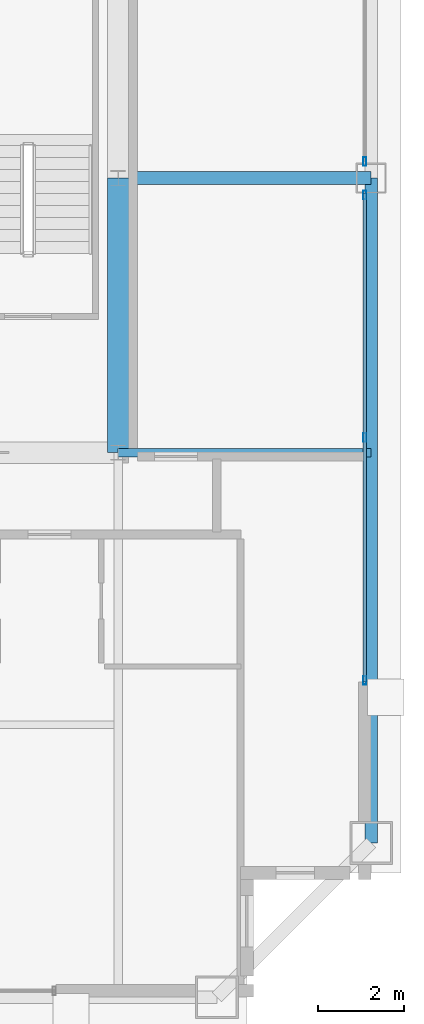
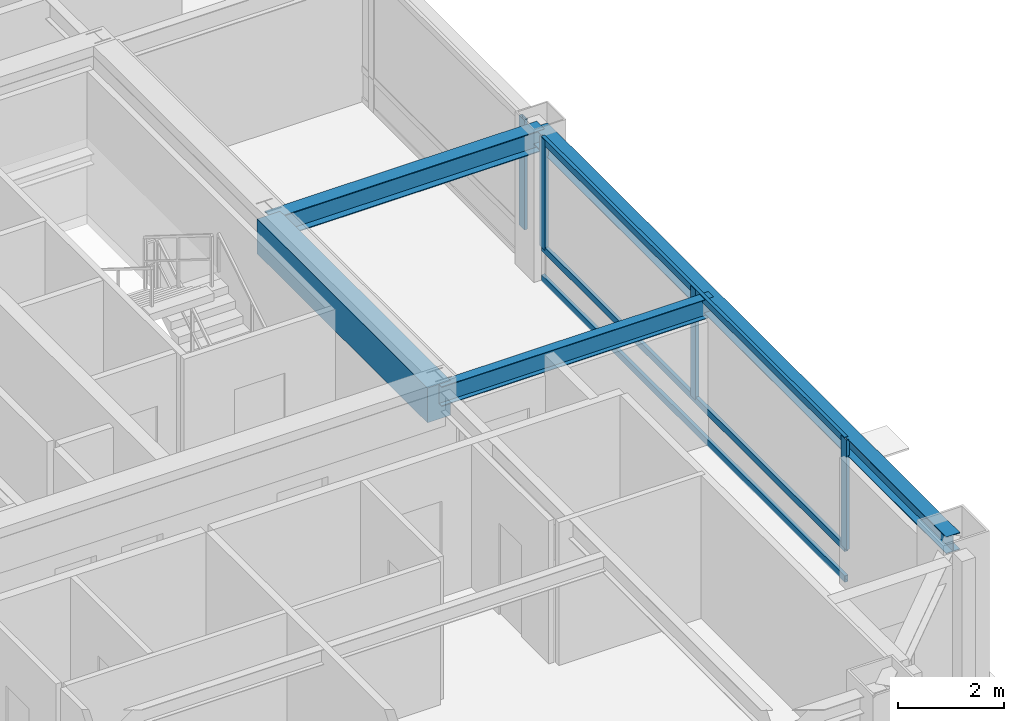
# One storey, part 14 of 35: 7 members, 4 beams, 2 elements without a shape of their own.
"""IFC4 building model written with IfcOpenShell, lengths in metres."""

from ifc_helpers import new_model, si_unit, direction, frame, origin, origin_2d, place, context, subcontext, project, spatial, rectangle, hollow_rectangle, i_section, extrude, source, transform, mapped, material, layer, layer_set, material_profile, profile_set, type_object, element, aggregate, save


model = new_model("IFC4")

# Units and contexts
model_context = context("Model", 3, precision=1e-05, world=origin(), true_north=direction((0.0, 1.0)))
body_context = subcontext(model_context, "Body", "Model", "MODEL_VIEW")
ifc_project = project(units=[si_unit("LENGTHUNIT", "METRE"), si_unit("AREAUNIT", "SQUARE_METRE"), si_unit("VOLUMEUNIT", "CUBIC_METRE"), si_unit("PLANEANGLEUNIT", "RADIAN"), si_unit("MASSUNIT", "GRAM", prefix="KILO"), si_unit("THERMODYNAMICTEMPERATUREUNIT", "KELVIN"), si_unit("POWERUNIT", "WATT")], contexts=[model_context])

# Site, building, storey
site_placement = place(None, origin())
site = spatial("IfcSite", under=ifc_project, at=site_placement, CompositionType="ELEMENT")
building_placement = place(site_placement, origin())
building = spatial("IfcBuilding", under=site, at=building_placement, Name="Yuzanri Waterfront Tower", CompositionType="ELEMENT")
storey_placement = place(building_placement, frame((0.0, 0.0, 332.199951171875)))
storey = spatial("IfcBuildingStorey", under=building, at=storey_placement, Name="L89", CompositionType="ELEMENT", Elevation=332.199951171875)

# Beams
ifc_material_1 = material(Name="Concrete C50", Category="concrete")
ifc_material_profile_1 = material_profile(ifc_material_1, rectangle(XDim=0.5, YDim=0.800048828125, at=origin_2d()), Name="RC 500x800")
ifc_profile_set_1 = profile_set([ifc_material_profile_1], Name="Concrete C50")
beam_type_1 = type_object("IfcBeamType", Name="Core Coupling Lintel Concrete C50 500x800", PredefinedType="LINTEL", material=ifc_profile_set_1)
shared_shape_1 = source(origin(), body_context, "Body", "SweptSolid", [
    extrude(rectangle(XDim=0.5, YDim=0.800048828125, at=origin_2d()), origin(), (0.0, 0.0, 1.0), 6.400146484375),
])
beam_1_placement = place(storey_placement, frame((50.199951171875, 19.39990234375, 2.880126953125), z_axis=(0.0, 1.0, 0.0), x_axis=(-1.0, 0.0, 0.0)))
element("IfcBeam", 1, at=beam_1_placement, inside=storey, type_object=beam_type_1, Name="L89 Core Tie Beam CE1", PredefinedType="LINTEL", context=body_context, shape_type="MappedRepresentation", body=[
    mapped(shared_shape_1, transform((0.0, 0.0, 0.0), scale=1.0)),
])
ifc_material_2 = material(Name="Steel Q355B", Category="steel")
ifc_material_profile_2 = material_profile(ifc_material_2, i_section(OverallWidth=0.300048828125, OverallDepth=0.389892578125, WebThickness=0.010009765625, FlangeThickness=0.01611328125, at=origin_2d()), Name="HM 390x300x10x16")
ifc_profile_set_2 = profile_set([ifc_material_profile_2], Name="Steel Q355B")
beam_type_2 = type_object("IfcBeamType", Name="Perimeter Spandrel Q355B HM 390x300", PredefinedType="SPANDREL", material=ifc_profile_set_2)
shared_shape_2 = source(origin(), body_context, "Body", "SweptSolid", [
    extrude(i_section(OverallWidth=0.300048828125, OverallDepth=0.389892578125, WebThickness=0.010009765625, FlangeThickness=0.01611328125, at=origin_2d()), origin(), (0.0, 0.0, 1.0), 15.5),
])
beam_2_placement = place(storey_placement, frame((56.10009765625, 10.300048828125, 3.0849609375), z_axis=(0.0, 1.0, 0.0), x_axis=(-1.0, 0.0, 0.0)))
element("IfcBeam", 2, at=beam_2_placement, inside=storey, type_object=beam_type_2, Name="L89 Perimeter Spandrel E1-E2", PredefinedType="SPANDREL", context=body_context, shape_type="MappedRepresentation", body=[
    mapped(shared_shape_2, transform((0.0, 0.0, 0.0), scale=1.0)),
])
ifc_material_3 = material(Name="Steel Q355B", Category="steel")
ifc_material_profile_3 = material_profile(ifc_material_3, i_section(OverallWidth=0.300048828125, OverallDepth=0.488037109375, WebThickness=0.010986328125, FlangeThickness=0.01806640625, at=origin_2d()), Name="HM 488x300x11x18")
ifc_profile_set_3 = profile_set([ifc_material_profile_3], Name="Steel Q355B")
beam_type_3 = type_object("IfcBeamType", Name="Primary Floor Girder Q355B HM 488x300", PredefinedType="BEAM", material=ifc_profile_set_3)
shared_shape_3 = source(origin(), body_context, "Body", "SweptSolid", [
    extrude(i_section(OverallWidth=0.300048828125, OverallDepth=0.488037109375, WebThickness=0.010986328125, FlangeThickness=0.01806640625, at=origin_2d()), origin(), (0.0, 0.0, 1.0), 5.900146484375),
])
beam_3_placement = place(storey_placement, frame((50.199951171875, 25.800048828125, 3.0361328125), z_axis=(1.0, 0.0, 0.0), x_axis=(0.0, 1.0, 0.0)))
element("IfcBeam", 3, at=beam_3_placement, inside=storey, type_object=beam_type_3, Name="L89 East Grid Girder", PredefinedType="BEAM", context=body_context, shape_type="MappedRepresentation", body=[
    mapped(shared_shape_3, transform((0.0, 0.0, 0.0), scale=1.0)),
])
ifc_material_4 = material(Name="Steel Q355B", Category="steel")
ifc_material_profile_4 = material_profile(ifc_material_4, i_section(OverallWidth=0.199951171875, OverallDepth=0.449951171875, WebThickness=0.009033203125, FlangeThickness=0.013916015625, at=origin_2d()), Name="HN 450x200x9x14")
ifc_profile_set_4 = profile_set([ifc_material_profile_4], Name="Steel Q355B")
beam_type_4 = type_object("IfcBeamType", Name="Secondary Floor Beam Q355B HN 450x200", PredefinedType="BEAM", material=ifc_profile_set_4)
shared_shape_4 = source(origin(), body_context, "Body", "SweptSolid", [
    extrude(i_section(OverallWidth=0.199951171875, OverallDepth=0.449951171875, WebThickness=0.009033203125, FlangeThickness=0.013916015625, at=origin_2d()), origin(), (0.0, 0.0, 1.0), 5.900146484375),
])
beam_4_placement = place(storey_placement, frame((50.199951171875, 19.39990234375, 3.054931640625), z_axis=(1.0, 0.0, 0.0), x_axis=(0.0, 1.0, 0.0)))
element("IfcBeam", 4, at=beam_4_placement, inside=storey, type_object=beam_type_4, Name="L89 East-South Core Line Beam", PredefinedType="BEAM", context=body_context, shape_type="MappedRepresentation", body=[
    mapped(shared_shape_4, transform((0.0, 0.0, 0.0), scale=1.0)),
])

# Curtain wall, members
ifc_material_5 = material(Name="Anodized Architectural Bronze", Category="metal")
ifc_layer = layer(ifc_material_5, 0.159912109375)
ifc_layer_set = layer_set([ifc_layer], Name="Anodized Architectural Bronze")
curtain_wall_type = type_object("IfcCurtainWallType", Name="Anodized Bronze High-Rise Penthouse High-Wind Unitized Curtain Wall 6900", PredefinedType="NOTDEFINED", material=ifc_layer_set)
curtain_wall_1_placement = place(storey_placement, origin())
curtain_wall_1 = element("IfcCurtainWall", 5, at=curtain_wall_1_placement, inside=storey, type_object=curtain_wall_type, Name="L89 Curtain Wall CW-L89-EL", PredefinedType="NOTDEFINED")
ifc_material_6 = material(Name="Anodized Architectural Bronze", Category="metal")
ifc_material_profile_5 = material_profile(ifc_material_6, hollow_rectangle(XDim=0.074951171875, YDim=0.199951171875, WallThickness=0.00390625, at=origin_2d()), Name="CWM 75x200")
ifc_profile_set_5 = profile_set([ifc_material_profile_5], Name="Anodized Architectural Bronze")
member_type_1 = type_object("IfcMemberType", Name="Anodized Bronze Primary Curtain-Wall Mullion 75x200", PredefinedType="MULLION", material=ifc_profile_set_5)
shared_shape_5 = source(origin(), body_context, "Body", "SweptSolid", [
    extrude(hollow_rectangle(XDim=0.074951171875, YDim=0.199951171875, WallThickness=0.00390625, at=origin_2d()), origin(), (0.0, 0.0, 1.0), 2.52392578125),
])
member_1_placement = place(storey_placement, frame((55.949951171875, 14.090087890625, 0.756103515625), z_axis=(0.0, 0.0, 1.0), x_axis=(1.0, 0.0, 0.0)))
member_1 = element("IfcMember", 6, at=member_1_placement, type_object=member_type_1, Name="CW-L89-EL Upper Mullion 00", PredefinedType="MULLION", context=body_context, shape_type="MappedRepresentation", body=[
    mapped(shared_shape_5, transform((0.0, 0.0, 0.0), scale=1.0)),
])
member_2_placement = place(storey_placement, frame((55.949951171875, 19.75, 0.756103515625), z_axis=(0.0, 0.0, 1.0), x_axis=(1.0, 0.0, 0.0)))
member_2 = element("IfcMember", 7, at=member_2_placement, type_object=member_type_1, Name="CW-L89-EL Upper Mullion 01", PredefinedType="MULLION", context=body_context, shape_type="MappedRepresentation", body=[
    mapped(shared_shape_5, transform((0.0, 0.0, 0.0), scale=1.0)),
])
member_3_placement = place(storey_placement, frame((55.949951171875, 25.409912109375, 0.756103515625), z_axis=(0.0, 0.0, 1.0), x_axis=(1.0, 0.0, 0.0)))
member_3 = element("IfcMember", 8, at=member_3_placement, type_object=member_type_1, Name="CW-L89-EL Upper Mullion 02", PredefinedType="MULLION", context=body_context, shape_type="MappedRepresentation", body=[
    mapped(shared_shape_5, transform((0.0, 0.0, 0.0), scale=1.0)),
])

# Curtain wall, member
curtain_wall_2_placement = place(storey_placement, origin())
curtain_wall_2 = element("IfcCurtainWall", 9, at=curtain_wall_2_placement, inside=storey, type_object=curtain_wall_type, Name="L89 Curtain Wall CW-L89-ER", PredefinedType="NOTDEFINED")
member_4_placement = place(storey_placement, frame((55.949951171875, 26.18994140625, 0.756103515625), z_axis=(0.0, 0.0, 1.0), x_axis=(1.0, 0.0, 0.0)))
member_4 = element("IfcMember", 10, at=member_4_placement, type_object=member_type_1, Name="CW-L89-ER Upper Mullion 00", PredefinedType="MULLION", context=body_context, shape_type="MappedRepresentation", body=[
    mapped(shared_shape_5, transform((0.0, 0.0, 0.0), scale=1.0)),
])
aggregate(curtain_wall_2, [member_4])

# Member
ifc_material_7 = material(Name="Anodized Architectural Bronze", Category="metal")
ifc_material_profile_6 = material_profile(ifc_material_7, hollow_rectangle(XDim=0.074951171875, YDim=0.14990234375, WallThickness=0.00390625, at=origin_2d()), Name="CWT 75x150")
ifc_profile_set_6 = profile_set([ifc_material_profile_6], Name="Anodized Architectural Bronze")
member_type_2 = type_object("IfcMemberType", Name="Anodized Bronze Primary Curtain-Wall Transom 75x150", PredefinedType="USERDEFINED", material=ifc_profile_set_6)
shared_shape_6 = source(origin(), body_context, "Body", "SweptSolid", [
    extrude(hollow_rectangle(XDim=0.074951171875, YDim=0.14990234375, WallThickness=0.00390625, at=origin_2d()), origin(), (0.0, 0.0, 1.0), 11.39990234375),
])
member_5_placement = place(storey_placement, frame((55.949951171875, 14.050048828125, 0.050048828125), z_axis=(0.0, 1.0, 0.0), x_axis=(-1.0, 0.0, 0.0)))
member_5 = element("IfcMember", 11, at=member_5_placement, type_object=member_type_2, Name="CW-L89-EL Transom 1", ObjectType="TRANSOM", PredefinedType="USERDEFINED", context=body_context, shape_type="MappedRepresentation", body=[
    mapped(shared_shape_6, transform((0.0, 0.0, 0.0), scale=1.0)),
])

member_6_placement = place(storey_placement, frame((55.949951171875, 14.050048828125, 0.754150390625), z_axis=(0.0, 1.0, 0.0), x_axis=(-1.0, 0.0, 0.0)))
member_6 = element("IfcMember", 12, at=member_6_placement, type_object=member_type_2, Name="CW-L89-EL Transom 2", ObjectType="TRANSOM", PredefinedType="USERDEFINED", context=body_context, shape_type="MappedRepresentation", body=[
    mapped(shared_shape_6, transform((0.0, 0.0, 0.0), scale=1.0)),
])

member_7_placement = place(storey_placement, frame((55.949951171875, 14.050048828125, 3.22998046875), z_axis=(0.0, 1.0, 0.0), x_axis=(-1.0, 0.0, 0.0)))
member_7 = element("IfcMember", 13, at=member_7_placement, type_object=member_type_2, Name="CW-L89-EL Transom 3", ObjectType="TRANSOM", PredefinedType="USERDEFINED", context=body_context, shape_type="MappedRepresentation", body=[
    mapped(shared_shape_6, transform((0.0, 0.0, 0.0), scale=1.0)),
])

aggregate(curtain_wall_1, [member_1, member_2, member_3, member_5, member_6, member_7])

save(model, "model.ifc")
